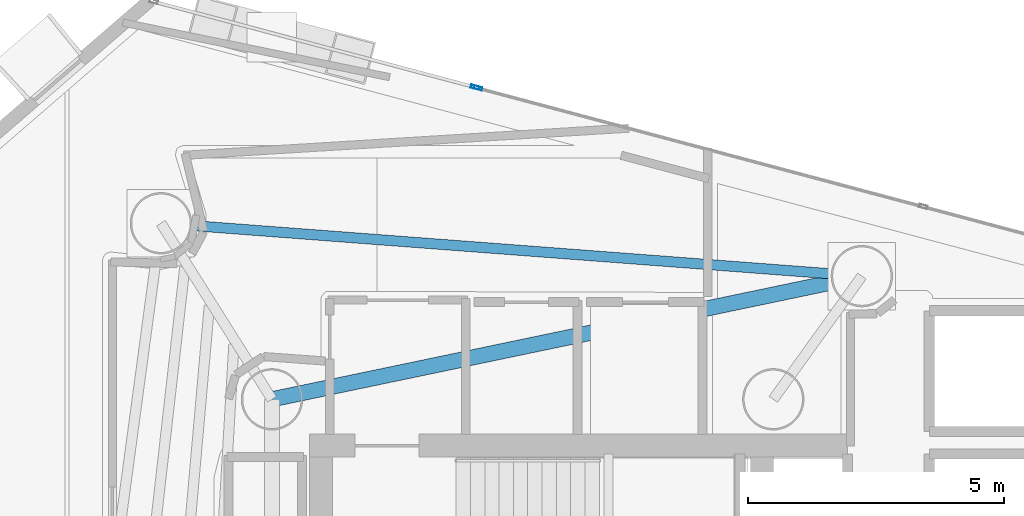
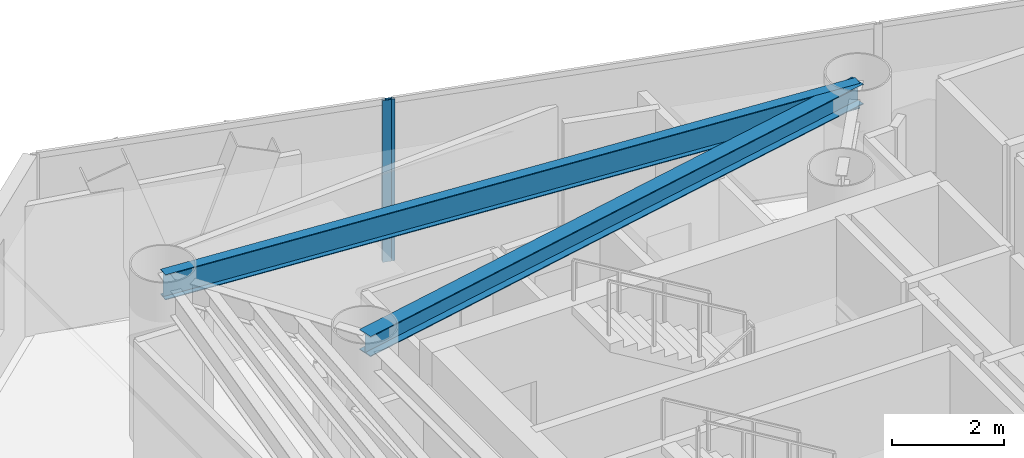
# One storey, part 10 of 21: 2 beams, 2 members, 2 elements without a shape of their own.
"""IFC4 building model written with IfcOpenShell, lengths in metres."""

from ifc_helpers import new_model, si_unit, direction, frame, origin, origin_2d, place, context, subcontext, project, spatial, hollow_rectangle, i_section, extrude, material, layer, layer_set, material_profile, profile_set, type_object, element, aggregate, save


model = new_model("IFC4")

# Units and contexts
model_context = context("Model", 3, precision=1e-05, world=origin(), true_north=direction((0.0, 1.0)))
body_context = subcontext(model_context, "Body", "Model", "MODEL_VIEW")
ifc_project = project(units=[si_unit("LENGTHUNIT", "METRE"), si_unit("AREAUNIT", "SQUARE_METRE"), si_unit("VOLUMEUNIT", "CUBIC_METRE"), si_unit("PLANEANGLEUNIT", "RADIAN"), si_unit("MASSUNIT", "GRAM", prefix="KILO")], contexts=[model_context])

# Site, building, storey
site_placement = place(None, origin())
site = spatial("IfcSite", under=ifc_project, at=site_placement, CompositionType="ELEMENT")
building_placement = place(site_placement, origin())
building = spatial("IfcBuilding", under=site, at=building_placement, Name="Qianvela Tower", CompositionType="ELEMENT")
storey_placement = place(building_placement, frame((0.0, 0.0, 189.199951171875)))
storey = spatial("IfcBuildingStorey", under=building, at=storey_placement, Name="L48", CompositionType="ELEMENT", Elevation=189.199951171875)

# Beams
ifc_material_1 = material(Name="Steel Q355B", Category="steel")
ifc_material_profile_1 = material_profile(ifc_material_1, i_section(OverallWidth=0.300048828125, OverallDepth=0.43994140625, WebThickness=0.010986328125, FlangeThickness=0.01806640625, at=origin_2d()), Name="HM440x300x11x18")
ifc_profile_set_1 = profile_set([ifc_material_profile_1], Name="Steel Q355B")
beam_type_1 = type_object("IfcBeamType", Name="BM-HM440-COLL", PredefinedType="BEAM", material=ifc_profile_set_1)
beam_1_placement = place(storey_placement, frame((28.60009765625, 33.550048828125, 3.298095703125), z_axis=(0.978884270582, 0.204415226456, 0.0), x_axis=(-0.204415226456, 0.978884270582, 0.0)))
element("IfcBeam", 1, at=beam_1_placement, inside=storey, type_object=beam_type_1, Name="L48 Perimeter Ring Tie Girder 1B", PredefinedType="BEAM", context=body_context, shape_type="SweptSolid", body=[
    extrude(i_section(OverallWidth=0.300048828125, OverallDepth=0.43994140625, WebThickness=0.010986328125, FlangeThickness=0.01806640625, at=origin_2d()), origin(), (0.0, 0.0, 1.0), 11.77978515625),
])
ifc_material_2 = material(Name="Steel Q355B", Category="steel")
ifc_material_profile_2 = material_profile(ifc_material_2, i_section(OverallWidth=0.199951171875, OverallDepth=0.550048828125, WebThickness=0.010009765625, FlangeThickness=0.01611328125, at=origin_2d()), Name="HN550x200x10x16")
ifc_profile_set_2 = profile_set([ifc_material_profile_2], Name="Steel Q355B")
beam_type_2 = type_object("IfcBeamType", Name="BM-HN550-GIRD", PredefinedType="BEAM", material=ifc_profile_set_2)
beam_2_placement = place(storey_placement, frame((40.131103515625, 35.9580078125, 3.2431640625), z_axis=(-0.997164346928, 0.075254669065, 0.0), x_axis=(-0.075254669065, -0.997164346928, 0.0)))
element("IfcBeam", 2, at=beam_2_placement, inside=storey, type_object=beam_type_2, Name="L48 Perimeter Ring Spandrel Girder 2", PredefinedType="BEAM", context=body_context, shape_type="SweptSolid", body=[
    extrude(i_section(OverallWidth=0.199951171875, OverallDepth=0.550048828125, WebThickness=0.010009765625, FlangeThickness=0.01611328125, at=origin_2d()), origin(), (0.0, 0.0, 1.0), 13.7392578125),
])

# Curtain wall, member
ifc_material_3 = material(Name="Anodised Architectural Aluminium and Insulated Spandrel Panel", Category="aluminium")
ifc_layer_1 = layer(ifc_material_3, 0.179931640625)
ifc_layer_set_1 = layer_set([ifc_layer_1], Name="Anodised Architectural Aluminium and Insulated Spandrel Panel")
curtain_wall_type_1 = type_object("IfcCurtainWallType", Name="CW-BRACEBAY", PredefinedType="USERDEFINED", material=ifc_layer_set_1)
curtain_wall_1_placement = place(storey_placement, origin())
curtain_wall_1 = element("IfcCurtainWall", 3, at=curtain_wall_1_placement, inside=storey, type_object=curtain_wall_type_1, Name="L48 CW-BRACEBAY Curtain Wall 02B", ObjectType="CURTAIN_WALL_SYSTEM", PredefinedType="USERDEFINED")
ifc_material_4 = material(Name="Anodised Architectural Aluminium 6063-T6", Category="aluminium")
ifc_material_profile_3 = material_profile(ifc_material_4, hollow_rectangle(XDim=0.06494140625, YDim=0.159912109375, WallThickness=0.0048828125, at=origin_2d()), Name="ALU-MULL-65x160")
ifc_profile_set_3 = profile_set([ifc_material_profile_3], Name="Anodised Architectural Aluminium 6063-T6")
member_type_1 = type_object("IfcMemberType", Name="CW-BRACEBAY-MULL", PredefinedType="MULLION", material=ifc_profile_set_3)
member_1_placement = place(storey_placement, frame((32.565185546875, 39.65234375, 0.0), z_axis=(0.0, 0.0, 1.0), x_axis=(-0.257347601007, -0.966318897805, 0.0)))
member_1 = element("IfcMember", 4, at=member_1_placement, type_object=member_type_1, Name="CW-9 mullion 1", PredefinedType="MULLION", context=body_context, shape_type="SweptSolid", body=[
    extrude(hollow_rectangle(XDim=0.06494140625, YDim=0.159912109375, WallThickness=0.0048828125, at=origin_2d()), origin(), (0.0, 0.0, 1.0), 3.52001953125),
])
aggregate(curtain_wall_1, [member_1])

ifc_material_5 = material(Name="Anodised Architectural Aluminium and Low-E Glass", Category="aluminium")
ifc_layer_2 = layer(ifc_material_5, 0.159912109375)
ifc_layer_set_2 = layer_set([ifc_layer_2], Name="Anodised Architectural Aluminium and Low-E Glass")
curtain_wall_type_2 = type_object("IfcCurtainWallType", Name="CW-COLIV-Z56", PredefinedType="USERDEFINED", material=ifc_layer_set_2)
curtain_wall_2_placement = place(storey_placement, origin())
curtain_wall_2 = element("IfcCurtainWall", 5, at=curtain_wall_2_placement, inside=storey, type_object=curtain_wall_type_2, Name="L48 CW-COLIV-Z56 Curtain Wall 02A", ObjectType="CURTAIN_WALL_SYSTEM", PredefinedType="USERDEFINED")
ifc_material_6 = material(Name="Anodised Architectural Aluminium 6063-T6", Category="aluminium")
ifc_material_profile_4 = material_profile(ifc_material_6, hollow_rectangle(XDim=0.06494140625, YDim=0.159912109375, WallThickness=0.0048828125, at=origin_2d()), Name="ALU-MULL-65x160")
ifc_profile_set_4 = profile_set([ifc_material_profile_4], Name="Anodised Architectural Aluminium 6063-T6")
member_type_2 = type_object("IfcMemberType", Name="CW-COLIV-Z56-MULL", PredefinedType="MULLION", material=ifc_profile_set_4)
member_2_placement = place(storey_placement, frame((32.6279296875, 39.6357421875, 0.0), z_axis=(0.0, 0.0, 1.0), x_axis=(-0.25735131933, -0.966317907543, 0.0)))
member_2 = element("IfcMember", 6, at=member_2_placement, type_object=member_type_2, Name="CW-5 mullion 4", PredefinedType="MULLION", context=body_context, shape_type="SweptSolid", body=[
    extrude(hollow_rectangle(XDim=0.06494140625, YDim=0.159912109375, WallThickness=0.0048828125, at=origin_2d()), origin(), (0.0, 0.0, 1.0), 3.52001953125),
])
aggregate(curtain_wall_2, [member_2])

save(model, "model.ifc")
